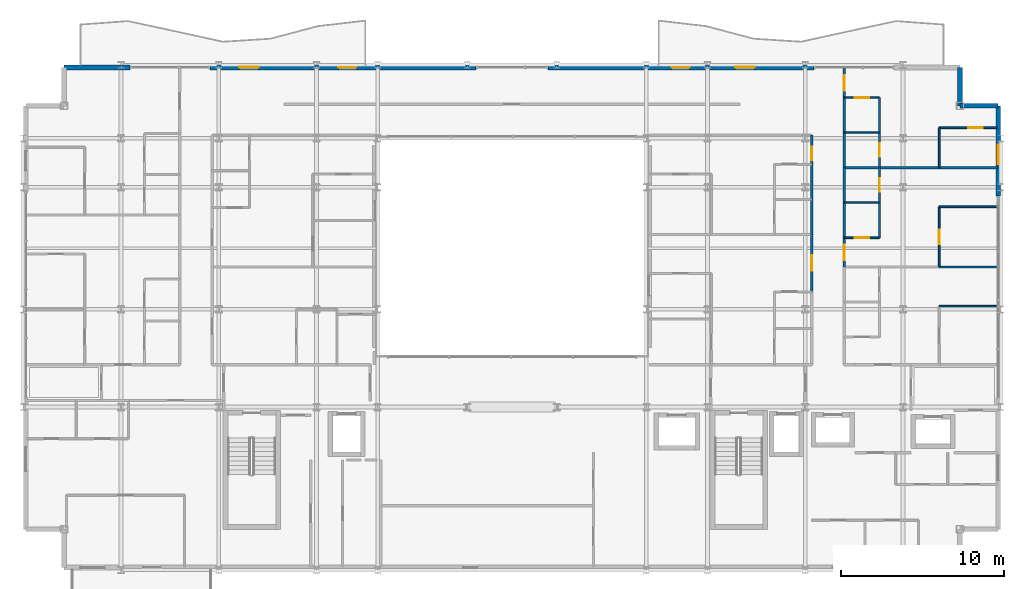
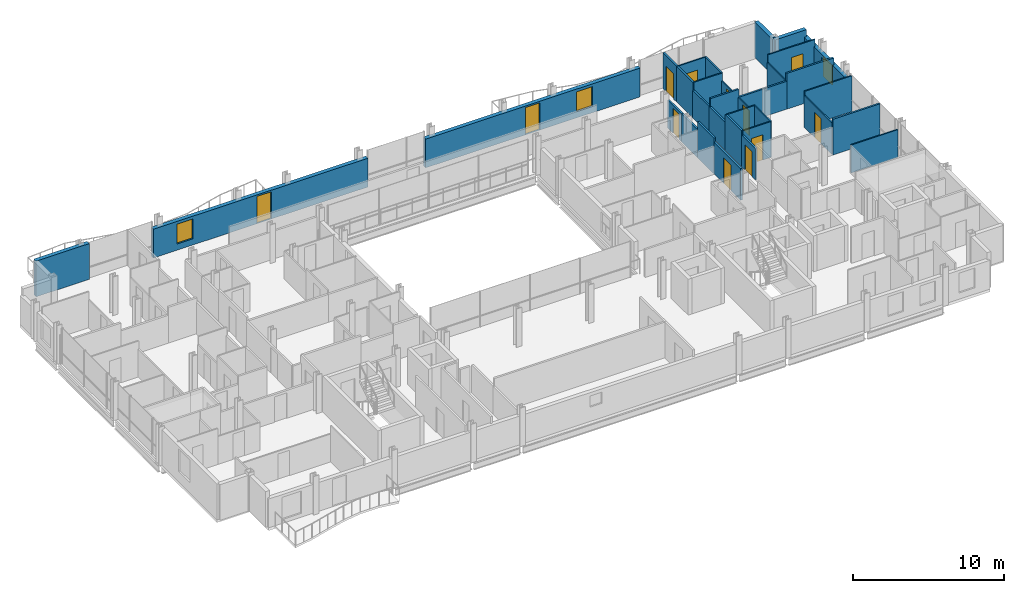
# One storey, part 36 of 40: 33 walls, 12 doors, 3 windows, 15 openings.
"""IFC4 building model written with IfcOpenShell, lengths in metres."""

from ifc_helpers import new_model, si_unit, direction, frame, frame_2d, origin, place, context, subcontext, project, spatial, rectangle, extrude, material, layer, layer_set, type_object, element, fill, save


model = new_model("IFC4")

# Units and contexts
model_context = context("Model", 3, precision=1e-05, world=origin(), true_north=direction((0.0, 1.0)))
body_context = subcontext(model_context, "Body", "Model", "MODEL_VIEW")
ifc_project = project(units=[si_unit("LENGTHUNIT", "METRE"), si_unit("AREAUNIT", "SQUARE_METRE"), si_unit("VOLUMEUNIT", "CUBIC_METRE"), si_unit("PLANEANGLEUNIT", "RADIAN"), si_unit("MASSUNIT", "GRAM", prefix="KILO")], contexts=[model_context])

# Site, building, storey
site_placement = place(None, origin())
site = spatial("IfcSite", under=ifc_project, at=site_placement, CompositionType="ELEMENT")
building_placement = place(site_placement, origin())
building = spatial("IfcBuilding", under=site, at=building_placement, Name="Brevholm Reach", CompositionType="ELEMENT")
storey_placement = place(building_placement, frame((0.0, 0.0, 125.199951171875)))
storey = spatial("IfcBuildingStorey", under=building, at=storey_placement, Name="L37", CompositionType="ELEMENT", Elevation=125.199951171875)

# Walls
ifc_material_1 = material(Name="Concrete C40/50", Category="concrete")
ifc_layer_1 = layer(ifc_material_1, 0.300048828125)
ifc_layer_set_1 = layer_set([ifc_layer_1], Name="Concrete C40/50")
wall_type_1 = type_object("IfcWallType", Name="WAL-EXT-300", PredefinedType="STANDARD", material=ifc_layer_set_1)
for number, where, z_axis, x_axis, name in (
    (1, (59.85009765625, 28.5, 0.0), (0.0, 0.0, 1.0), (-1.0, 0.0, 0.0), "L37 Facade Wall WAL-L37-CNE1"),
    (2, (57.5, 28.5, 0.0), (0.0, 0.0, 1.0), (0.0, 1.0, 0.0), "L37 Facade Wall WAL-L37-CNE2"),
):
    element("IfcWall", number, at=place(storey_placement, frame(where, z_axis=z_axis, x_axis=x_axis)), inside=storey, type_object=wall_type_1, Name=name, PredefinedType="STANDARD", context=body_context, shape_type="SweptSolid", body=[
        extrude(rectangle(XDim=2.35009765625, YDim=0.300048828125, at=frame_2d((1.175048828125, 0.0))), origin(), (0.0, 0.0, 1.0), 2.880126953125),
    ])

# Wall, opening, window
wall_1_placement = place(storey_placement, frame((59.85009765625, 22.949951171875, 0.0), z_axis=(0.0, 0.0, 1.0), x_axis=(0.0, 1.0, 0.0)))
wall_1 = element("IfcWall", 3, at=wall_1_placement, inside=storey, type_object=wall_type_1, Name="L37 Facade Wall WAL-L37-E-N", PredefinedType="STANDARD", context=body_context, shape_type="SweptSolid", body=[
    extrude(rectangle(XDim=5.550048828125, YDim=0.300048828125, at=frame_2d((2.77490234375, 0.0))), origin(), (0.0, 0.0, 1.0), 2.322021484375),
])
opening_1_placement = place(wall_1_placement, frame((1.949951171875, 0.0, 0.501953125)))
opening_1 = element("IfcOpeningElement", 4, at=opening_1_placement, cuts=wall_1, Name="Opening WN-08", PredefinedType="OPENING", context=body_context, shape_type="SweptSolid", body=[
    extrude(rectangle(XDim=1.199951171875, YDim=1.60009765625, at=frame_2d((0.60009765625, 0.800048828125))), frame((0.0, 0.159912109375, 0.0), z_axis=(0.0, -1.0, 0.0), x_axis=(1.0, 0.0, 0.0)), (0.0, 0.0, 1.0), 0.320068359375),
])
ifc_material_2 = material(Name="Dark Anodised Aluminium and Solar-Control IGU Glass", Category="aluminium")
window_type = type_object("IfcWindowType", Name="WIN-RES-1200", PartitioningType="SINGLE_PANEL", PredefinedType="WINDOW", material=ifc_material_2)
window_1_placement = place(opening_1_placement, origin())
window_1 = element("IfcWindow", 5, at=window_1_placement, inside=storey, type_object=window_type, Name="L37 Window WIN-L37-EN-1", OverallHeight=1.60009765625, OverallWidth=1.199951171875, PartitioningType="SINGLE_PANEL", PredefinedType="WINDOW", context=body_context, shape_type="SweptSolid", body=[
    extrude(rectangle(XDim=1.199951171875, YDim=1.60009765625, at=frame_2d((0.60009765625, 0.800048828125))), frame((0.0, 0.030029296875, 0.0), z_axis=(0.0, -1.0, 0.0), x_axis=(1.0, 0.0, 0.0)), (0.0, 0.0, 1.0), 0.06005859375),
])
fill(opening_1, window_1)

# Wall
wall_2_placement = place(storey_placement, frame((2.5, 30.85009765625, 0.0), z_axis=(0.0, 0.0, 1.0), x_axis=(1.0, 0.0, 0.0)))
element("IfcWall", 6, at=wall_2_placement, inside=storey, type_object=wall_type_1, Name="L37 Facade Wall WAL-L37-NP-W0", PredefinedType="STANDARD", context=body_context, shape_type="SweptSolid", body=[
    extrude(rectangle(XDim=4.050048828125, YDim=0.300048828125, at=frame_2d((2.02490234375, 0.0))), origin(), (0.0, 0.0, 1.0), 2.880126953125),
])

# Wall, openings, door, window
wall_3_placement = place(storey_placement, frame((11.449951171875, 30.85009765625, 0.0), z_axis=(0.0, 0.0, 1.0), x_axis=(1.0, 0.0, 0.0)))
wall_3 = element("IfcWall", 7, at=wall_3_placement, inside=storey, type_object=wall_type_1, Name="L37 Facade Wall WAL-L37-NP-WL", PredefinedType="STANDARD", context=body_context, shape_type="SweptSolid", body=[
    extrude(rectangle(XDim=16.35009765625, YDim=0.300048828125, at=frame_2d((8.175048828125, 0.0))), origin(), (0.0, 0.0, 1.0), 2.322021484375),
])
opening_2_placement = place(wall_3_placement, frame((7.89794921875, 0.0, 0.0)))
opening_2 = element("IfcOpeningElement", 8, at=opening_2_placement, cuts=wall_3, Name="Opening BD-01", PredefinedType="OPENING", context=body_context, shape_type="SweptSolid", body=[
    extrude(rectangle(XDim=1.10009765625, YDim=2.199951171875, at=frame_2d((0.550048828125, 1.10009765625))), frame((0.0, 0.159912109375, 0.0), z_axis=(0.0, -1.0, 0.0), x_axis=(1.0, 0.0, 0.0)), (0.0, 0.0, 1.0), 0.320068359375),
])
opening_3_placement = place(wall_3_placement, frame((1.800048828125, 0.0, 0.501953125)))
opening_3 = element("IfcOpeningElement", 9, at=opening_3_placement, cuts=wall_3, Name="Opening WN-08", PredefinedType="OPENING", context=body_context, shape_type="SweptSolid", body=[
    extrude(rectangle(XDim=1.199951171875, YDim=1.60009765625, at=frame_2d((0.60009765625, 0.800048828125))), frame((0.0, 0.159912109375, 0.0), z_axis=(0.0, -1.0, 0.0), x_axis=(1.0, 0.0, 0.0)), (0.0, 0.0, 1.0), 0.320068359375),
])
ifc_material_3 = material(Name="Dark Anodised Aluminium and Triple-Glazed Glass", Category="aluminium")
door_type_1 = type_object("IfcDoorType", Name="DOR-BALC-1100", OperationType="NOTDEFINED", PredefinedType="DOOR", material=ifc_material_3)
door_1_placement = place(opening_2_placement, origin())
door_1 = element("IfcDoor", 10, at=door_1_placement, inside=storey, type_object=door_type_1, Name="L37 Exterior Door DOR-L37-BL-NW", OperationType="SINGLE_SWING_RIGHT", OverallHeight=2.199951171875, OverallWidth=1.10009765625, PredefinedType="DOOR", context=body_context, shape_type="SweptSolid", body=[
    extrude(rectangle(XDim=1.10009765625, YDim=2.199951171875, at=frame_2d((0.550048828125, 1.10009765625))), frame((0.0, 0.02490234375, 0.0), z_axis=(0.0, -1.0, 0.0), x_axis=(1.0, 0.0, 0.0)), (0.0, 0.0, 1.0), 0.050048828125),
])
fill(opening_2, door_1)
window_2_placement = place(opening_3_placement, origin())
window_2 = element("IfcWindow", 11, at=window_2_placement, inside=storey, type_object=window_type, Name="L37 Window WIN-L37-NP-WL1", OverallHeight=1.60009765625, OverallWidth=1.199951171875, PartitioningType="SINGLE_PANEL", PredefinedType="WINDOW", context=body_context, shape_type="SweptSolid", body=[
    extrude(rectangle(XDim=1.199951171875, YDim=1.60009765625, at=frame_2d((0.60009765625, 0.800048828125))), frame((0.0, 0.030029296875, 0.0), z_axis=(0.0, -1.0, 0.0), x_axis=(1.0, 0.0, 0.0)), (0.0, 0.0, 1.0), 0.06005859375),
])
fill(opening_3, window_2)

wall_4_placement = place(storey_placement, frame((32.199951171875, 30.85009765625, 0.0), z_axis=(0.0, 0.0, 1.0), x_axis=(1.0, 0.0, 0.0)))
wall_4 = element("IfcWall", 12, at=wall_4_placement, inside=storey, type_object=wall_type_1, Name="L37 Facade Wall WAL-L37-NP-ER", PredefinedType="STANDARD", context=body_context, shape_type="SweptSolid", body=[
    extrude(rectangle(XDim=16.35009765625, YDim=0.300048828125, at=frame_2d((8.175048828125, 0.0))), origin(), (0.0, 0.0, 1.0), 2.322021484375),
])
opening_4_placement = place(wall_4_placement, frame((7.60009765625, 0.0, 0.0)))
opening_4 = element("IfcOpeningElement", 13, at=opening_4_placement, cuts=wall_4, Name="Opening BD-01", PredefinedType="OPENING", context=body_context, shape_type="SweptSolid", body=[
    extrude(rectangle(XDim=1.10009765625, YDim=2.199951171875, at=frame_2d((0.550048828125, 1.10009765625))), frame((0.0, 0.159912109375, 0.0), z_axis=(0.0, -1.0, 0.0), x_axis=(1.0, 0.0, 0.0)), (0.0, 0.0, 1.0), 0.320068359375),
])
opening_5_placement = place(wall_4_placement, frame((11.5, 0.0, 0.501953125)))
opening_5 = element("IfcOpeningElement", 14, at=opening_5_placement, cuts=wall_4, Name="Opening WN-08", PredefinedType="OPENING", context=body_context, shape_type="SweptSolid", body=[
    extrude(rectangle(XDim=1.199951171875, YDim=1.60009765625, at=frame_2d((0.60009765625, 0.800048828125))), frame((0.0, 0.159912109375, 0.0), z_axis=(0.0, -1.0, 0.0), x_axis=(1.0, 0.0, 0.0)), (0.0, 0.0, 1.0), 0.320068359375),
])
door_2_placement = place(opening_4_placement, origin())
door_2 = element("IfcDoor", 15, at=door_2_placement, inside=storey, type_object=door_type_1, Name="L37 Exterior Door DOR-L37-BL-NE", OperationType="SINGLE_SWING_LEFT", OverallHeight=2.199951171875, OverallWidth=1.10009765625, PredefinedType="DOOR", context=body_context, shape_type="SweptSolid", body=[
    extrude(rectangle(XDim=1.10009765625, YDim=2.199951171875, at=frame_2d((0.550048828125, 1.10009765625))), frame((0.0, 0.02490234375, 0.0), z_axis=(0.0, -1.0, 0.0), x_axis=(1.0, 0.0, 0.0)), (0.0, 0.0, 1.0), 0.050048828125),
])
fill(opening_4, door_2)
window_3_placement = place(opening_5_placement, origin())
window_3 = element("IfcWindow", 16, at=window_3_placement, inside=storey, type_object=window_type, Name="L37 Window WIN-L37-NP-ER1", OverallHeight=1.60009765625, OverallWidth=1.199951171875, PartitioningType="SINGLE_PANEL", PredefinedType="WINDOW", context=body_context, shape_type="SweptSolid", body=[
    extrude(rectangle(XDim=1.199951171875, YDim=1.60009765625, at=frame_2d((0.60009765625, 0.800048828125))), frame((0.0, 0.030029296875, 0.0), z_axis=(0.0, -1.0, 0.0), x_axis=(1.0, 0.0, 0.0)), (0.0, 0.0, 1.0), 0.06005859375),
])
fill(opening_5, window_3)

# Walls
ifc_material_4 = material(Name="Moisture-Resistant Acoustic Gypsum Stud Partition 100 mm", Category="gypsum")
ifc_layer_2 = layer(ifc_material_4, 0.10009765625)
ifc_layer_set_2 = layer_set([ifc_layer_2], Name="Moisture-Resistant Acoustic Gypsum Stud Partition 100 mm")
wall_type_2 = type_object("IfcWallType", Name="WAL-PRT-100", PredefinedType="PARTITIONING", material=ifc_layer_set_2)
wall_5_placement = place(storey_placement, frame((56.22802734375, 16.199951171875, 0.0), z_axis=(0.0, 0.0, 1.0), x_axis=(1.0, 0.0, 0.0)))
element("IfcWall", 17, at=wall_5_placement, inside=storey, type_object=wall_type_2, Name="L37 Internal Partition 138", PredefinedType="PARTITIONING", context=body_context, shape_type="SweptSolid", body=[
    extrude(rectangle(XDim=3.572021484375, YDim=0.10009765625, at=frame_2d((1.7861328125, 0.0))), origin(), (0.0, 0.0, 1.0), 2.242919921875),
])
wall_6_placement = place(storey_placement, frame((50.404052734375, 22.550048828125, 0.0), z_axis=(0.0, 0.0, 1.0), x_axis=(1.0, 0.0, 0.0)))
element("IfcWall", 18, at=wall_6_placement, inside=storey, type_object=wall_type_2, Name="L37 Internal Partition 142", PredefinedType="PARTITIONING", context=body_context, shape_type="SweptSolid", body=[
    extrude(rectangle(XDim=2.157958984375, YDim=0.10009765625, at=frame_2d((1.0791015625, 0.0))), origin(), (0.0, 0.0, 1.0), 2.880126953125),
])

# Wall, opening, door
wall_7_placement = place(storey_placement, frame((52.56201171875, 22.550048828125, 0.0), z_axis=(0.0, 0.0, 1.0), x_axis=(0.0, 1.0, 0.0)))
wall_7 = element("IfcWall", 19, at=wall_7_placement, inside=storey, type_object=wall_type_2, Name="L37 Internal Partition 143", PredefinedType="PARTITIONING", context=body_context, shape_type="SweptSolid", body=[
    extrude(rectangle(XDim=2.14990234375, YDim=0.10009765625, at=frame_2d((1.074951171875, 0.0))), origin(), (0.0, 0.0, 1.0), 2.242919921875),
])
opening_6_placement = place(wall_7_placement, frame((0.6650390625, 0.0, 0.0)))
opening_6 = element("IfcOpeningElement", 20, at=opening_6_placement, cuts=wall_7, Name="Opening ID-03", PredefinedType="OPENING", context=body_context, shape_type="SweptSolid", body=[
    extrude(rectangle(XDim=0.820068359375, YDim=2.02001953125, at=frame_2d((0.41015625, 1.010009765625))), frame((0.0, 0.06005859375, 0.0), z_axis=(0.0, -1.0, 0.0), x_axis=(1.0, 0.0, 0.0)), (0.0, 0.0, 1.0), 0.1201171875),
])
ifc_material_5 = material(Name="Moisture-Resistant Painted Timber Internal Bathroom Door", Category="wood")
door_type_2 = type_object("IfcDoorType", Name="DOR-BATH-820", OperationType="NOTDEFINED", PredefinedType="DOOR", material=ifc_material_5)
door_3_placement = place(opening_6_placement, origin())
door_3 = element("IfcDoor", 21, at=door_3_placement, inside=storey, type_object=door_type_2, Name="L37 Internal Door 053", OperationType="SINGLE_SWING_LEFT", OverallHeight=2.02001953125, OverallWidth=0.820068359375, PredefinedType="DOOR", context=body_context, shape_type="SweptSolid", body=[
    extrude(rectangle(XDim=0.820068359375, YDim=2.02001953125, at=frame_2d((0.41015625, 1.010009765625))), frame((0.0, 0.02490234375, 0.0), z_axis=(0.0, -1.0, 0.0), x_axis=(1.0, 0.0, 0.0)), (0.0, 0.0, 1.0), 0.050048828125),
])
fill(opening_6, door_3)

wall_8_placement = place(storey_placement, frame((50.404052734375, 20.39990234375, 0.0), z_axis=(0.0, 0.0, 1.0), x_axis=(1.0, 0.0, 0.0)))
wall_8 = element("IfcWall", 22, at=wall_8_placement, inside=storey, type_object=wall_type_2, Name="L37 Internal Partition 145", PredefinedType="PARTITIONING", context=body_context, shape_type="SweptSolid", body=[
    extrude(rectangle(XDim=2.157958984375, YDim=0.10009765625, at=frame_2d((1.0791015625, 0.0))), origin(), (0.0, 0.0, 1.0), 2.880126953125),
])
opening_7_placement = place(wall_8_placement, frame((0.638916015625, 0.0, 0.0)))
opening_7 = element("IfcOpeningElement", 23, at=opening_7_placement, cuts=wall_8, Name="Opening ID-01", PredefinedType="OPENING", context=body_context, shape_type="SweptSolid", body=[
    extrude(rectangle(XDim=0.8798828125, YDim=2.0400390625, at=frame_2d((0.43994140625, 1.02001953125))), frame((0.0, 0.06005859375, 0.0), z_axis=(0.0, -1.0, 0.0), x_axis=(1.0, 0.0, 0.0)), (0.0, 0.0, 1.0), 0.1201171875),
])
ifc_material_6 = material(Name="Lacquered Ash Solid-Core Acoustic Internal Door", Category="timber")
door_type_3 = type_object("IfcDoorType", Name="DOR-INT-880", OperationType="NOTDEFINED", PredefinedType="DOOR", material=ifc_material_6)
door_4_placement = place(opening_7_placement, origin())
door_4 = element("IfcDoor", 24, at=door_4_placement, inside=storey, type_object=door_type_3, Name="L37 Internal Door 054", OperationType="SINGLE_SWING_RIGHT", OverallHeight=2.0400390625, OverallWidth=0.8798828125, PredefinedType="DOOR", context=body_context, shape_type="SweptSolid", body=[
    extrude(rectangle(XDim=0.8798828125, YDim=2.0400390625, at=frame_2d((0.43994140625, 1.02001953125))), frame((0.0, 0.02490234375, 0.0), z_axis=(0.0, -1.0, 0.0), x_axis=(1.0, 0.0, 0.0)), (0.0, 0.0, 1.0), 0.050048828125),
])
fill(opening_7, door_4)

# Walls
wall_9_placement = place(storey_placement, frame((52.56201171875, 20.39990234375, 0.0), z_axis=(0.0, 0.0, 1.0), x_axis=(0.0, 1.0, 0.0)))
element("IfcWall", 25, at=wall_9_placement, inside=storey, type_object=wall_type_2, Name="L37 Internal Partition 146", PredefinedType="PARTITIONING", context=body_context, shape_type="SweptSolid", body=[
    extrude(rectangle(XDim=2.14599609375, YDim=0.10009765625, at=frame_2d((1.072998046875, 0.0))), origin(), (0.0, 0.0, 1.0), 2.880126953125),
])
wall_10_placement = place(storey_placement, frame((56.22802734375, 22.300048828125, 0.0), z_axis=(0.0, 0.0, 1.0), x_axis=(1.0, 0.0, 0.0)))
element("IfcWall", 26, at=wall_10_placement, inside=storey, type_object=wall_type_2, Name="L37 Internal Partition 147", PredefinedType="PARTITIONING", context=body_context, shape_type="SweptSolid", body=[
    extrude(rectangle(XDim=3.572021484375, YDim=0.10009765625, at=frame_2d((1.7861328125, 0.0))), origin(), (0.0, 0.0, 1.0), 2.880126953125),
])

# Wall, opening, door
wall_11_placement = place(storey_placement, frame((56.22802734375, 18.60400390625, 0.0), z_axis=(0.0, 0.0, 1.0), x_axis=(0.0, 1.0, 0.0)))
wall_11 = element("IfcWall", 27, at=wall_11_placement, inside=storey, type_object=wall_type_2, Name="L37 Internal Partition 148", PredefinedType="PARTITIONING", context=body_context, shape_type="SweptSolid", body=[
    extrude(rectangle(XDim=3.696044921875, YDim=0.10009765625, at=frame_2d((1.84814453125, 0.0))), origin(), (0.0, 0.0, 1.0), 2.5517578125),
])
opening_8_placement = place(wall_11_placement, frame((1.407958984375, 0.0, 0.0)))
opening_8 = element("IfcOpeningElement", 28, at=opening_8_placement, cuts=wall_11, Name="Opening ID-01", PredefinedType="OPENING", context=body_context, shape_type="SweptSolid", body=[
    extrude(rectangle(XDim=0.8798828125, YDim=2.0400390625, at=frame_2d((0.43994140625, 1.02001953125))), frame((0.0, 0.06005859375, 0.0), z_axis=(0.0, -1.0, 0.0), x_axis=(1.0, 0.0, 0.0)), (0.0, 0.0, 1.0), 0.1201171875),
])
door_5_placement = place(opening_8_placement, origin())
door_5 = element("IfcDoor", 29, at=door_5_placement, inside=storey, type_object=door_type_3, Name="L37 Internal Door 055", OperationType="SINGLE_SWING_LEFT", OverallHeight=2.0400390625, OverallWidth=0.8798828125, PredefinedType="DOOR", context=body_context, shape_type="SweptSolid", body=[
    extrude(rectangle(XDim=0.8798828125, YDim=2.0400390625, at=frame_2d((0.43994140625, 1.02001953125))), frame((0.0, 0.02490234375, 0.0), z_axis=(0.0, -1.0, 0.0), x_axis=(1.0, 0.0, 0.0)), (0.0, 0.0, 1.0), 0.050048828125),
])
fill(opening_8, door_5)

# Wall
wall_12_placement = place(storey_placement, frame((50.404052734375, 26.85009765625, 0.0), z_axis=(0.0, 0.0, 1.0), x_axis=(1.0, 0.0, 0.0)))
element("IfcWall", 30, at=wall_12_placement, inside=storey, type_object=wall_type_2, Name="L37 Internal Partition 151", PredefinedType="PARTITIONING", context=body_context, shape_type="SweptSolid", body=[
    extrude(rectangle(XDim=2.157958984375, YDim=0.10009765625, at=frame_2d((1.0791015625, 0.0))), origin(), (0.0, 0.0, 1.0), 2.880126953125),
])

# Wall, opening, door
wall_13_placement = place(storey_placement, frame((52.56201171875, 24.7041015625, 0.0), z_axis=(0.0, 0.0, 1.0), x_axis=(0.0, 1.0, 0.0)))
wall_13 = element("IfcWall", 31, at=wall_13_placement, inside=storey, type_object=wall_type_2, Name="L37 Internal Partition 152", PredefinedType="PARTITIONING", context=body_context, shape_type="SweptSolid", body=[
    extrude(rectangle(XDim=2.14599609375, YDim=0.10009765625, at=frame_2d((1.072998046875, 0.0))), origin(), (0.0, 0.0, 1.0), 2.242919921875),
])
opening_9_placement = place(wall_13_placement, frame((0.6630859375, 0.0, 0.0)))
opening_9 = element("IfcOpeningElement", 32, at=opening_9_placement, cuts=wall_13, Name="Opening ID-03", PredefinedType="OPENING", context=body_context, shape_type="SweptSolid", body=[
    extrude(rectangle(XDim=0.820068359375, YDim=2.02001953125, at=frame_2d((0.41015625, 1.010009765625))), frame((0.0, 0.06005859375, 0.0), z_axis=(0.0, -1.0, 0.0), x_axis=(1.0, 0.0, 0.0)), (0.0, 0.0, 1.0), 0.1201171875),
])
door_6_placement = place(opening_9_placement, origin())
door_6 = element("IfcDoor", 33, at=door_6_placement, inside=storey, type_object=door_type_2, Name="L37 Internal Door 056", OperationType="SINGLE_SWING_RIGHT", OverallHeight=2.02001953125, OverallWidth=0.820068359375, PredefinedType="DOOR", context=body_context, shape_type="SweptSolid", body=[
    extrude(rectangle(XDim=0.820068359375, YDim=2.02001953125, at=frame_2d((0.41015625, 1.010009765625))), frame((0.0, 0.02490234375, 0.0), z_axis=(0.0, -1.0, 0.0), x_axis=(1.0, 0.0, 0.0)), (0.0, 0.0, 1.0), 0.050048828125),
])
fill(opening_9, door_6)

# Wall
wall_14_placement = place(storey_placement, frame((52.56201171875, 26.85400390625, 0.0), z_axis=(0.0, 0.0, 1.0), x_axis=(0.0, 1.0, 0.0)))
element("IfcWall", 34, at=wall_14_placement, inside=storey, type_object=wall_type_2, Name="L37 Internal Partition 153", PredefinedType="PARTITIONING", context=body_context, shape_type="SweptSolid", body=[
    extrude(rectangle(XDim=2.14599609375, YDim=0.10009765625, at=frame_2d((1.072998046875, 0.0))), origin(), (0.0, 0.0, 1.0), 2.880126953125),
])

# Wall, opening, door
wall_15_placement = place(storey_placement, frame((50.404052734375, 29.0, 0.0), z_axis=(0.0, 0.0, 1.0), x_axis=(1.0, 0.0, 0.0)))
wall_15 = element("IfcWall", 35, at=wall_15_placement, inside=storey, type_object=wall_type_2, Name="L37 Internal Partition 154", PredefinedType="PARTITIONING", context=body_context, shape_type="SweptSolid", body=[
    extrude(rectangle(XDim=2.157958984375, YDim=0.10009765625, at=frame_2d((1.0791015625, 0.0))), origin(), (0.0, 0.0, 1.0), 2.880126953125),
])
opening_10_placement = place(wall_15_placement, frame((0.638916015625, 0.0, 0.0)))
opening_10 = element("IfcOpeningElement", 36, at=opening_10_placement, cuts=wall_15, Name="Opening ID-01", PredefinedType="OPENING", context=body_context, shape_type="SweptSolid", body=[
    extrude(rectangle(XDim=0.8798828125, YDim=2.0400390625, at=frame_2d((0.43994140625, 1.02001953125))), frame((0.0, 0.06005859375, 0.0), z_axis=(0.0, -1.0, 0.0), x_axis=(1.0, 0.0, 0.0)), (0.0, 0.0, 1.0), 0.1201171875),
])
door_7_placement = place(opening_10_placement, origin())
door_7 = element("IfcDoor", 37, at=door_7_placement, inside=storey, type_object=door_type_3, Name="L37 Internal Door 057", OperationType="SINGLE_SWING_LEFT", OverallHeight=2.0400390625, OverallWidth=0.8798828125, PredefinedType="DOOR", context=body_context, shape_type="SweptSolid", body=[
    extrude(rectangle(XDim=0.8798828125, YDim=2.0400390625, at=frame_2d((0.43994140625, 1.02001953125))), frame((0.0, 0.02490234375, 0.0), z_axis=(0.0, -1.0, 0.0), x_axis=(1.0, 0.0, 0.0)), (0.0, 0.0, 1.0), 0.050048828125),
])
fill(opening_10, door_7)

wall_16_placement = place(storey_placement, frame((56.22802734375, 27.14990234375, 0.0), z_axis=(0.0, 0.0, 1.0), x_axis=(1.0, 0.0, 0.0)))
wall_16 = element("IfcWall", 38, at=wall_16_placement, inside=storey, type_object=wall_type_2, Name="L37 Internal Partition 155", PredefinedType="PARTITIONING", context=body_context, shape_type="SweptSolid", body=[
    extrude(rectangle(XDim=3.572021484375, YDim=0.10009765625, at=frame_2d((1.7861328125, 0.0))), origin(), (0.0, 0.0, 1.0), 2.880126953125),
])
opening_11_placement = place(wall_16_placement, frame((1.785888671875, 0.0, 0.0)))
opening_11 = element("IfcOpeningElement", 39, at=opening_11_placement, cuts=wall_16, Name="Opening ID-01", PredefinedType="OPENING", context=body_context, shape_type="SweptSolid", body=[
    extrude(rectangle(XDim=0.8798828125, YDim=2.0400390625, at=frame_2d((0.43994140625, 1.02001953125))), frame((0.0, 0.06005859375, 0.0), z_axis=(0.0, -1.0, 0.0), x_axis=(1.0, 0.0, 0.0)), (0.0, 0.0, 1.0), 0.1201171875),
])
door_8_placement = place(opening_11_placement, origin())
door_8 = element("IfcDoor", 40, at=door_8_placement, inside=storey, type_object=door_type_3, Name="L37 Internal Door 058", OperationType="SINGLE_SWING_RIGHT", OverallHeight=2.0400390625, OverallWidth=0.8798828125, PredefinedType="DOOR", context=body_context, shape_type="SweptSolid", body=[
    extrude(rectangle(XDim=0.8798828125, YDim=2.0400390625, at=frame_2d((0.43994140625, 1.02001953125))), frame((0.0, 0.02490234375, 0.0), z_axis=(0.0, -1.0, 0.0), x_axis=(1.0, 0.0, 0.0)), (0.0, 0.0, 1.0), 0.050048828125),
])
fill(opening_11, door_8)

# Wall
wall_17_placement = place(storey_placement, frame((56.22802734375, 24.7041015625, 0.0), z_axis=(0.0, 0.0, 1.0), x_axis=(0.0, 1.0, 0.0)))
element("IfcWall", 41, at=wall_17_placement, inside=storey, type_object=wall_type_2, Name="L37 Internal Partition 156", PredefinedType="PARTITIONING", context=body_context, shape_type="SweptSolid", body=[
    extrude(rectangle(XDim=2.44580078125, YDim=0.10009765625, at=frame_2d((1.222900390625, 0.0))), origin(), (0.0, 0.0, 1.0), 2.242919921875),
])

# Wall, opening, door
ifc_material_7 = material(Name="Twin-Stud Acoustic Fire-Rated Gypsum Partition 140 mm", Category="gypsum")
ifc_layer_3 = layer(ifc_material_7, 0.139892578125)
ifc_layer_set_3 = layer_set([ifc_layer_3], Name="Twin-Stud Acoustic Fire-Rated Gypsum Partition 140 mm")
wall_type_3 = type_object("IfcWallType", Name="WAL-PRT-140", PredefinedType="PARTITIONING", material=ifc_layer_set_3)
wall_18_placement = place(storey_placement, frame((48.39990234375, 17.064697265625, 0.0), z_axis=(0.0, 0.0, 1.0), x_axis=(0.0, 1.0, 0.0)))
wall_18 = element("IfcWall", 42, at=wall_18_placement, inside=storey, type_object=wall_type_3, Name="L37 Internal Partition 044", PredefinedType="PARTITIONING", context=body_context, shape_type="SweptSolid", body=[
    extrude(rectangle(XDim=3.546630859375, YDim=0.139892578125, at=frame_2d((1.7734375, 0.0))), origin(), (0.0, 0.0, 1.0), 2.5517578125),
])
opening_12_placement = place(wall_18_placement, frame((1.29833984375, 0.0, 0.0)))
opening_12 = element("IfcOpeningElement", 43, at=opening_12_placement, cuts=wall_18, Name="Opening ID-30", PredefinedType="OPENING", context=body_context, shape_type="SweptSolid", body=[
    extrude(rectangle(XDim=0.949951171875, YDim=2.050048828125, at=frame_2d((0.47509765625, 1.02490234375))), frame((0.0, 0.079833984375, 0.0), z_axis=(0.0, -1.0, 0.0), x_axis=(1.0, 0.0, 0.0)), (0.0, 0.0, 1.0), 0.159912109375),
])
ifc_material_8 = material(Name="European Oak Veneered Solid-Core Fire Entrance Door", Category="timber")
door_type_4 = type_object("IfcDoorType", Name="DOR-FLT-FD30S", OperationType="NOTDEFINED", PredefinedType="DOOR", material=ifc_material_8)
door_9_placement = place(opening_12_placement, origin())
door_9 = element("IfcDoor", 44, at=door_9_placement, inside=storey, type_object=door_type_4, Name="L37 Internal Door 018", OperationType="SINGLE_SWING_RIGHT", OverallHeight=2.050048828125, OverallWidth=0.949951171875, PredefinedType="DOOR", context=body_context, shape_type="SweptSolid", body=[
    extrude(rectangle(XDim=0.949951171875, YDim=2.050048828125, at=frame_2d((0.47509765625, 1.02490234375))), frame((0.0, 0.02490234375, 0.0), z_axis=(0.0, -1.0, 0.0), x_axis=(1.0, 0.0, 0.0)), (0.0, 0.0, 1.0), 0.050048828125),
])
fill(opening_12, door_9)

# Walls
wall_19_placement = place(storey_placement, frame((48.39990234375, 20.5927734375, 0.0), z_axis=(0.0, 0.0, 1.0), x_axis=(0.0, 1.0, 0.0)))
element("IfcWall", 45, at=wall_19_placement, inside=storey, type_object=wall_type_3, Name="L37 Internal Partition 045", PredefinedType="PARTITIONING", context=body_context, shape_type="SweptSolid", body=[
    extrude(rectangle(XDim=2.16845703125, YDim=0.139892578125, at=frame_2d((1.084228515625, 0.0))), origin(), (0.0, 0.0, 1.0), 2.880126953125),
])
wall_20_placement = place(storey_placement, frame((48.39990234375, 22.74267578125, 0.0), z_axis=(0.0, 0.0, 1.0), x_axis=(0.0, 1.0, 0.0)))
element("IfcWall", 46, at=wall_20_placement, inside=storey, type_object=wall_type_3, Name="L37 Internal Partition 046", PredefinedType="PARTITIONING", context=body_context, shape_type="SweptSolid", body=[
    extrude(rectangle(XDim=2.168701171875, YDim=0.139892578125, at=frame_2d((1.08447265625, 0.0))), origin(), (0.0, 0.0, 1.0), 2.242919921875),
])

# Wall, opening, door
wall_21_placement = place(storey_placement, frame((48.39990234375, 24.892578125, 0.0), z_axis=(0.0, 0.0, 1.0), x_axis=(0.0, 1.0, 0.0)))
wall_21 = element("IfcWall", 47, at=wall_21_placement, inside=storey, type_object=wall_type_3, Name="L37 Internal Partition 047", PredefinedType="PARTITIONING", context=body_context, shape_type="SweptSolid", body=[
    extrude(rectangle(XDim=1.814697265625, YDim=0.139892578125, at=frame_2d((0.9072265625, 0.0))), origin(), (0.0, 0.0, 1.0), 2.242919921875),
])
opening_13_placement = place(wall_21_placement, frame((0.27734375, 0.0, 0.0)))
opening_13 = element("IfcOpeningElement", 48, at=opening_13_placement, cuts=wall_21, Name="Opening ID-02", PredefinedType="OPENING", context=body_context, shape_type="SweptSolid", body=[
    extrude(rectangle(XDim=0.820068359375, YDim=2.02001953125, at=frame_2d((0.41015625, 1.010009765625))), frame((0.0, 0.079833984375, 0.0), z_axis=(0.0, -1.0, 0.0), x_axis=(1.0, 0.0, 0.0)), (0.0, 0.0, 1.0), 0.159912109375),
])
ifc_material_9 = material(Name="Moisture-Resistant Painted Timber Fire-Rated Riser and Service Door", Category="wood")
door_type_5 = type_object("IfcDoorType", Name="DOR-SRV-820", OperationType="NOTDEFINED", PredefinedType="DOOR", material=ifc_material_9)
door_10_placement = place(opening_13_placement, origin())
door_10 = element("IfcDoor", 49, at=door_10_placement, inside=storey, type_object=door_type_5, Name="L37 Internal Door 019", OperationType="SINGLE_SWING_LEFT", OverallHeight=2.02001953125, OverallWidth=0.820068359375, PredefinedType="DOOR", context=body_context, shape_type="SweptSolid", body=[
    extrude(rectangle(XDim=0.820068359375, YDim=2.02001953125, at=frame_2d((0.41015625, 1.010009765625))), frame((0.0, 0.02490234375, 0.0), z_axis=(0.0, -1.0, 0.0), x_axis=(1.0, 0.0, 0.0)), (0.0, 0.0, 1.0), 0.050048828125),
])
fill(opening_13, door_10)

# Walls
wall_22_placement = place(storey_placement, frame((50.39990234375, 22.538818359375, 0.0), z_axis=(0.0, 0.0, 1.0), x_axis=(0.0, 1.0, 0.0)))
element("IfcWall", 50, at=wall_22_placement, inside=storey, type_object=wall_type_3, Name="L37 Internal Partition 051", PredefinedType="PARTITIONING", context=body_context, shape_type="SweptSolid", body=[
    extrude(rectangle(XDim=2.17236328125, YDim=0.139892578125, at=frame_2d((1.086181640625, 0.0))), origin(), (0.0, 0.0, 1.0), 2.242919921875),
])
wall_23_placement = place(storey_placement, frame((50.39990234375, 20.388671875, 0.0), z_axis=(0.0, 0.0, 1.0), x_axis=(0.0, 1.0, 0.0)))
element("IfcWall", 51, at=wall_23_placement, inside=storey, type_object=wall_type_3, Name="L37 Internal Partition 052", PredefinedType="PARTITIONING", context=body_context, shape_type="SweptSolid", body=[
    extrude(rectangle(XDim=2.168701171875, YDim=0.139892578125, at=frame_2d((1.08447265625, 0.0))), origin(), (0.0, 0.0, 1.0), 2.880126953125),
])

# Wall, opening, door
wall_24_placement = place(storey_placement, frame((50.39990234375, 18.5927734375, 0.0), z_axis=(0.0, 0.0, 1.0), x_axis=(0.0, 1.0, 0.0)))
wall_24 = element("IfcWall", 52, at=wall_24_placement, inside=storey, type_object=wall_type_3, Name="L37 Internal Partition 053", PredefinedType="PARTITIONING", context=body_context, shape_type="SweptSolid", body=[
    extrude(rectangle(XDim=1.814453125, YDim=0.139892578125, at=frame_2d((0.9072265625, 0.0))), origin(), (0.0, 0.0, 1.0), 2.5517578125),
])
opening_14_placement = place(wall_24_placement, frame((0.432373046875, 0.0, 0.0)))
opening_14 = element("IfcOpeningElement", 53, at=opening_14_placement, cuts=wall_24, Name="Opening ID-30", PredefinedType="OPENING", context=body_context, shape_type="SweptSolid", body=[
    extrude(rectangle(XDim=0.949951171875, YDim=2.050048828125, at=frame_2d((0.47509765625, 1.02490234375))), frame((0.0, 0.079833984375, 0.0), z_axis=(0.0, -1.0, 0.0), x_axis=(1.0, 0.0, 0.0)), (0.0, 0.0, 1.0), 0.159912109375),
])
door_11_placement = place(opening_14_placement, origin())
door_11 = element("IfcDoor", 54, at=door_11_placement, inside=storey, type_object=door_type_4, Name="L37 Internal Door 020", OperationType="SINGLE_SWING_RIGHT", OverallHeight=2.050048828125, OverallWidth=0.949951171875, PredefinedType="DOOR", context=body_context, shape_type="SweptSolid", body=[
    extrude(rectangle(XDim=0.949951171875, YDim=2.050048828125, at=frame_2d((0.47509765625, 1.02490234375))), frame((0.0, 0.02490234375, 0.0), z_axis=(0.0, -1.0, 0.0), x_axis=(1.0, 0.0, 0.0)), (0.0, 0.0, 1.0), 0.050048828125),
])
fill(opening_14, door_11)

# Walls
wall_25_placement = place(storey_placement, frame((50.39990234375, 24.692626953125, 0.0), z_axis=(0.0, 0.0, 1.0), x_axis=(0.0, 1.0, 0.0)))
element("IfcWall", 55, at=wall_25_placement, inside=storey, type_object=wall_type_3, Name="L37 Internal Partition 054", PredefinedType="PARTITIONING", context=body_context, shape_type="SweptSolid", body=[
    extrude(rectangle(XDim=2.168701171875, YDim=0.139892578125, at=frame_2d((1.08447265625, 0.0))), origin(), (0.0, 0.0, 1.0), 2.242919921875),
])
wall_26_placement = place(storey_placement, frame((50.39990234375, 26.8427734375, 0.0), z_axis=(0.0, 0.0, 1.0), x_axis=(0.0, 1.0, 0.0)))
element("IfcWall", 56, at=wall_26_placement, inside=storey, type_object=wall_type_3, Name="L37 Internal Partition 055", PredefinedType="PARTITIONING", context=body_context, shape_type="SweptSolid", body=[
    extrude(rectangle(XDim=2.16845703125, YDim=0.139892578125, at=frame_2d((1.084228515625, 0.0))), origin(), (0.0, 0.0, 1.0), 2.880126953125),
])

# Wall, opening, door
wall_27_placement = place(storey_placement, frame((50.39990234375, 28.99267578125, 0.0), z_axis=(0.0, 0.0, 1.0), x_axis=(0.0, 1.0, 0.0)))
wall_27 = element("IfcWall", 57, at=wall_27_placement, inside=storey, type_object=wall_type_3, Name="L37 Internal Partition 056", PredefinedType="PARTITIONING", context=body_context, shape_type="SweptSolid", body=[
    extrude(rectangle(XDim=1.807373046875, YDim=0.139892578125, at=frame_2d((0.90380859375, 0.0))), origin(), (0.0, 0.0, 1.0), 2.880126953125),
])
opening_15_placement = place(wall_27_placement, frame((0.4287109375, 0.0, 0.0)))
opening_15 = element("IfcOpeningElement", 58, at=opening_15_placement, cuts=wall_27, Name="Opening ID-30", PredefinedType="OPENING", context=body_context, shape_type="SweptSolid", body=[
    extrude(rectangle(XDim=0.949951171875, YDim=2.050048828125, at=frame_2d((0.47509765625, 1.02490234375))), frame((0.0, 0.079833984375, 0.0), z_axis=(0.0, -1.0, 0.0), x_axis=(1.0, 0.0, 0.0)), (0.0, 0.0, 1.0), 0.159912109375),
])
door_12_placement = place(opening_15_placement, origin())
door_12 = element("IfcDoor", 59, at=door_12_placement, inside=storey, type_object=door_type_4, Name="L37 Internal Door 021", OperationType="SINGLE_SWING_LEFT", OverallHeight=2.050048828125, OverallWidth=0.949951171875, PredefinedType="DOOR", context=body_context, shape_type="SweptSolid", body=[
    extrude(rectangle(XDim=0.949951171875, YDim=2.050048828125, at=frame_2d((0.47509765625, 1.02490234375))), frame((0.0, 0.02490234375, 0.0), z_axis=(0.0, -1.0, 0.0), x_axis=(1.0, 0.0, 0.0)), (0.0, 0.0, 1.0), 0.050048828125),
])
fill(opening_15, door_12)

# Walls
wall_28_placement = place(storey_placement, frame((56.216796875, 18.60009765625, 0.0), z_axis=(0.0, 0.0, 1.0), x_axis=(1.0, 0.0, 0.0)))
element("IfcWall", 60, at=wall_28_placement, inside=storey, type_object=wall_type_3, Name="L37 Internal Partition 140", PredefinedType="PARTITIONING", context=body_context, shape_type="SweptSolid", body=[
    extrude(rectangle(XDim=3.583251953125, YDim=0.139892578125, at=frame_2d((1.79150390625, 0.0))), origin(), (0.0, 0.0, 1.0), 2.880126953125),
])
wall_29_placement = place(storey_placement, frame((50.404052734375, 24.699951171875, 0.0), z_axis=(0.0, 0.0, 1.0), x_axis=(1.0, 0.0, 0.0)))
element("IfcWall", 61, at=wall_29_placement, inside=storey, type_object=wall_type_3, Name="L37 Internal Partition 144", PredefinedType="PARTITIONING", context=body_context, shape_type="SweptSolid", body=[
    extrude(rectangle(XDim=2.157958984375, YDim=0.139892578125, at=frame_2d((1.0791015625, 0.0))), origin(), (0.0, 0.0, 1.0), 2.880126953125),
])
wall_30_placement = place(storey_placement, frame((56.216796875, 24.699951171875, 0.0), z_axis=(0.0, 0.0, 1.0), x_axis=(1.0, 0.0, 0.0)))
element("IfcWall", 62, at=wall_30_placement, inside=storey, type_object=wall_type_3, Name="L37 Internal Partition 149", PredefinedType="PARTITIONING", context=body_context, shape_type="SweptSolid", body=[
    extrude(rectangle(XDim=3.583251953125, YDim=0.139892578125, at=frame_2d((1.79150390625, 0.0))), origin(), (0.0, 0.0, 1.0), 2.880126953125),
])
wall_31_placement = place(storey_placement, frame((52.56591796875, 24.699951171875, 0.0), z_axis=(0.0, 0.0, 1.0), x_axis=(1.0, 0.0, 0.0)))
element("IfcWall", 63, at=wall_31_placement, inside=storey, type_object=wall_type_3, Name="L37 Internal Partition 150", PredefinedType="PARTITIONING", context=body_context, shape_type="SweptSolid", body=[
    extrude(rectangle(XDim=3.66943359375, YDim=0.139892578125, at=frame_2d((1.834716796875, 0.0))), origin(), (0.0, 0.0, 1.0), 2.242919921875),
])

save(model, "model.ifc")
